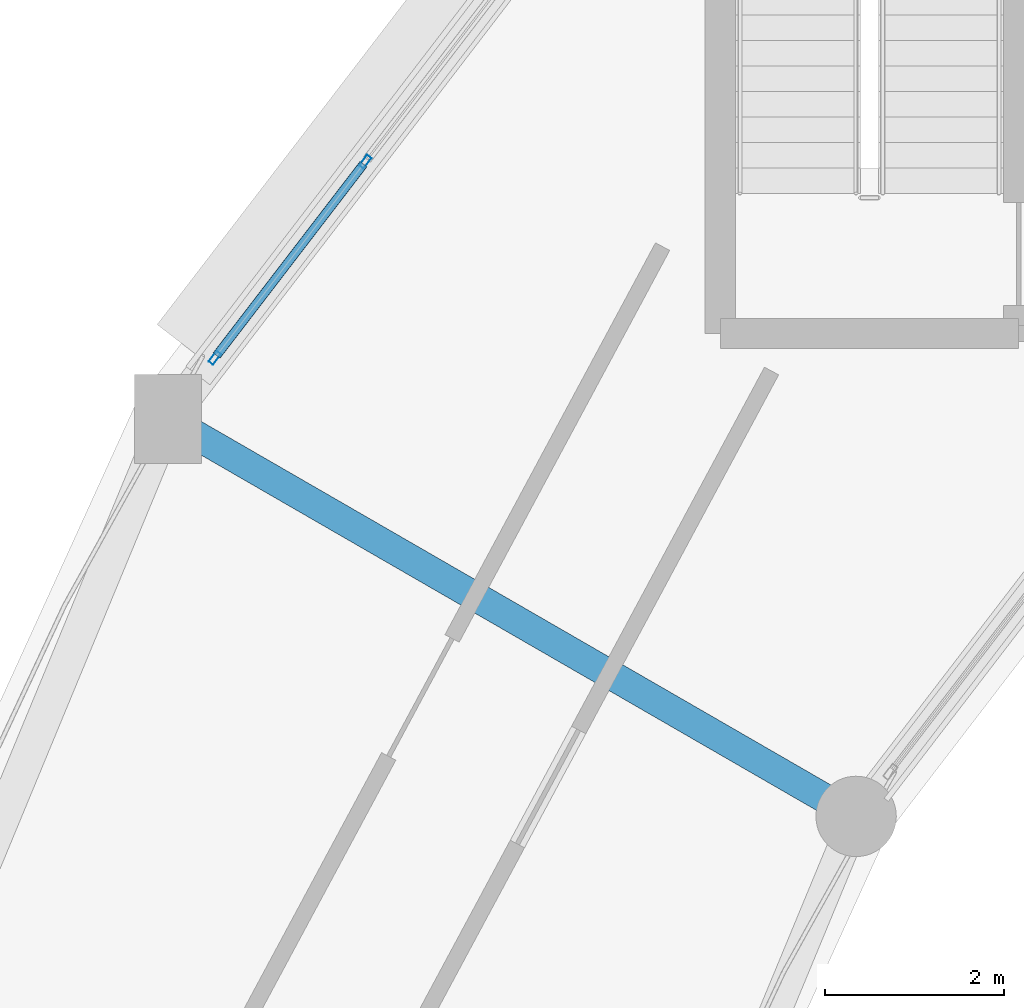
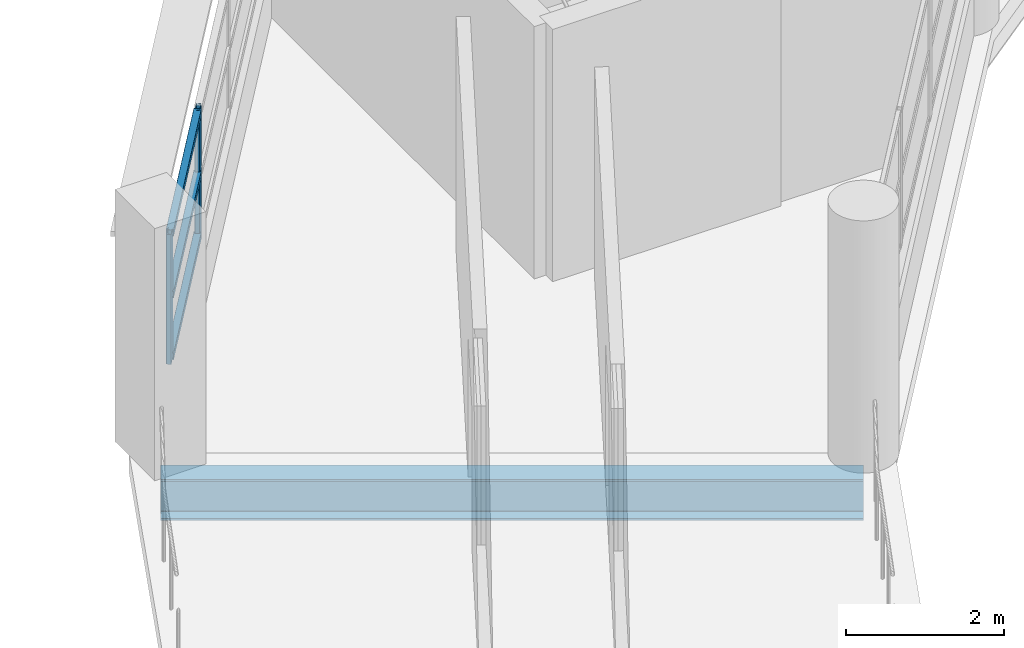
# One storey, part 34 of 88: 5 members, 1 beam, 1 element without a shape of its own.
"""IFC4 building model written with IfcOpenShell, lengths in metres."""

from ifc_helpers import new_model, si_unit, direction, frame, origin, origin_2d, place, context, subcontext, project, spatial, hollow_rectangle, i_section, extrude, material, layer, layer_set, material_profile, profile_set, type_object, element, aggregate, save


model = new_model("IFC4")

# Units and contexts
model_context = context("Model", 3, precision=1e-05, world=origin(), true_north=direction((0.0, 1.0)))
body_context = subcontext(model_context, "Body", "Model", "MODEL_VIEW")
ifc_project = project(units=[si_unit("LENGTHUNIT", "METRE"), si_unit("AREAUNIT", "SQUARE_METRE"), si_unit("VOLUMEUNIT", "CUBIC_METRE"), si_unit("PLANEANGLEUNIT", "RADIAN"), si_unit("MASSUNIT", "GRAM", prefix="KILO")], contexts=[model_context])

# Site, building, storey
site_placement = place(None, origin())
site = spatial("IfcSite", under=ifc_project, at=site_placement, CompositionType="ELEMENT")
building_placement = place(site_placement, origin())
building = spatial("IfcBuilding", under=site, at=building_placement, Name="Vespera Passage Community Centre", CompositionType="ELEMENT")
storey_placement = place(building_placement, frame((0.0, 0.0, 16.5)))
storey = spatial("IfcBuildingStorey", under=building, at=storey_placement, Name="L04", CompositionType="ELEMENT", Elevation=16.5)

# Beam
ifc_material_1 = material(Name="Steel ASTM A992 Grade 50", Category="steel")
ifc_material_profile_1 = material_profile(ifc_material_1, i_section(OverallWidth=0.32763671875, OverallDepth=0.62841796875, WebThickness=0.0166015625, FlangeThickness=0.027587890625, FilletRadius=0.0126953125, at=origin_2d()), Name="W24X146")
ifc_profile_set_1 = profile_set([ifc_material_profile_1], Name="Steel ASTM A992 Grade 50")
beam_type = type_object("IfcBeamType", Name="BM-G-W24X146", PredefinedType="BEAM", material=ifc_profile_set_1)
beam_placement = place(storey_placement, frame((45.783935546875, 84.10009765625, -0.6142578125), z_axis=(-0.866031643847, 0.499989191739, 0.0), x_axis=(-0.499989191739, -0.866031643847, 0.0)))
element("IfcBeam", 1, at=beam_placement, inside=storey, type_object=beam_type, Name="V4 L04 Radial Girder 10", PredefinedType="BEAM", context=body_context, shape_type="SweptSolid", body=[
    extrude(i_section(OverallWidth=0.32763671875, OverallDepth=0.62841796875, WebThickness=0.0166015625, FlangeThickness=0.027587890625, FilletRadius=0.0126953125, at=origin_2d()), origin(), (0.0, 0.0, 1.0), 8.900146484375),
])

# Curtain wall, members
ifc_material_2 = material(Name="Anodized aluminium 6063-T6", Category="aluminium")
ifc_layer = layer(ifc_material_2, 0.159912109375)
ifc_layer_set = layer_set([ifc_layer], Name="Anodized aluminium 6063-T6")
curtain_wall_type = type_object("IfcCurtainWallType", Name="CW-62E", PredefinedType="NOTDEFINED", material=ifc_layer_set)
curtain_wall_placement = place(storey_placement, origin())
curtain_wall = element("IfcCurtainWall", 2, at=curtain_wall_placement, inside=storey, type_object=curtain_wall_type, Name="V4 L04 Outer Ribbon Curtain Wall 9", PredefinedType="NOTDEFINED")
ifc_material_3 = material(Name="Anodized aluminium 6063-T6", Category="aluminium")
ifc_material_profile_2 = material_profile(ifc_material_3, hollow_rectangle(XDim=0.06494140625, YDim=0.14990234375, WallThickness=0.00390625, InnerFilletRadius=0.001953125, OuterFilletRadius=0.00390625, at=origin_2d()), Name="ALU150X65X4")
ifc_profile_set_2 = profile_set([ifc_material_profile_2], Name="Anodized aluminium 6063-T6")
member_type_1 = type_object("IfcMemberType", Name="MB-CWM-150E", PredefinedType="MULLION", material=ifc_profile_set_2)
member_1_placement = place(storey_placement, frame((38.601806640625, 89.235107421875, 0.820068359375), z_axis=(0.0, 0.0, 1.0), x_axis=(-0.793350429062, 0.608765222978, 0.0)))
member_1 = element("IfcMember", 3, at=member_1_placement, type_object=member_type_1, Name="CW-62E mullion 1", PredefinedType="MULLION", context=body_context, shape_type="SweptSolid", body=[
    extrude(hollow_rectangle(XDim=0.06494140625, YDim=0.14990234375, WallThickness=0.00390625, InnerFilletRadius=0.001953125, OuterFilletRadius=0.00390625, at=origin_2d()), origin(), (0.0, 0.0, 1.0), 2.005615234375),
])
member_2_placement = place(storey_placement, frame((40.287109375, 91.431396484375, 0.820068359375), z_axis=(0.0, 0.0, 1.0), x_axis=(-0.793350429062, 0.608765222978, 0.0)))
member_2 = element("IfcMember", 4, at=member_2_placement, type_object=member_type_1, Name="CW-62E mullion 2", PredefinedType="MULLION", context=body_context, shape_type="SweptSolid", body=[
    extrude(hollow_rectangle(XDim=0.06494140625, YDim=0.14990234375, WallThickness=0.00390625, InnerFilletRadius=0.001953125, OuterFilletRadius=0.00390625, at=origin_2d()), origin(), (0.0, 0.0, 1.0), 2.005615234375),
])
ifc_material_4 = material(Name="Anodized aluminium 6063-T6", Category="aluminium")
ifc_material_profile_3 = material_profile(ifc_material_4, hollow_rectangle(XDim=0.10009765625, YDim=0.10009765625, WallThickness=0.00390625, InnerFilletRadius=0.001953125, OuterFilletRadius=0.00390625, at=origin_2d()), Name="ALU100X100X4")
ifc_profile_set_3 = profile_set([ifc_material_profile_3], Name="Anodized aluminium 6063-T6")
member_type_2 = type_object("IfcMemberType", Name="MB-CWT-100E", PredefinedType="USERDEFINED", material=ifc_profile_set_3)
member_3_placement = place(storey_placement, frame((38.62158203125, 89.260986328125, 0.8701171875), z_axis=(0.608806888702, 0.793318455772, 0.0), x_axis=(-0.793318455772, 0.608806888702, 0.0)))
member_3 = element("IfcMember", 5, at=member_3_placement, type_object=member_type_2, Name="CW-62E transom 1.1", ObjectType="TRANSOM", PredefinedType="USERDEFINED", context=body_context, shape_type="SweptSolid", body=[
    extrude(hollow_rectangle(XDim=0.10009765625, YDim=0.10009765625, WallThickness=0.00390625, InnerFilletRadius=0.001953125, OuterFilletRadius=0.00390625, at=origin_2d()), origin(), (0.0, 0.0, 1.0), 2.703125),
])
member_4_placement = place(storey_placement, frame((38.62158203125, 89.260986328125, 1.82275390625), z_axis=(0.608806888702, 0.793318455772, 0.0), x_axis=(-0.793318455772, 0.608806888702, 0.0)))
member_4 = element("IfcMember", 6, at=member_4_placement, type_object=member_type_2, Name="CW-62E transom 1.2", ObjectType="TRANSOM", PredefinedType="USERDEFINED", context=body_context, shape_type="SweptSolid", body=[
    extrude(hollow_rectangle(XDim=0.10009765625, YDim=0.10009765625, WallThickness=0.00390625, InnerFilletRadius=0.001953125, OuterFilletRadius=0.00390625, at=origin_2d()), origin(), (0.0, 0.0, 1.0), 2.703125),
])
member_5_placement = place(storey_placement, frame((38.62158203125, 89.260986328125, 2.775634765625), z_axis=(0.608806888702, 0.793318455772, 0.0), x_axis=(-0.793318455772, 0.608806888702, 0.0)))
member_5 = element("IfcMember", 7, at=member_5_placement, type_object=member_type_2, Name="CW-62E transom 1.3", ObjectType="TRANSOM", PredefinedType="USERDEFINED", context=body_context, shape_type="SweptSolid", body=[
    extrude(hollow_rectangle(XDim=0.10009765625, YDim=0.10009765625, WallThickness=0.00390625, InnerFilletRadius=0.001953125, OuterFilletRadius=0.00390625, at=origin_2d()), origin(), (0.0, 0.0, 1.0), 2.703125),
])
aggregate(curtain_wall, [member_1, member_2, member_3, member_4, member_5])

save(model, "model.ifc")
